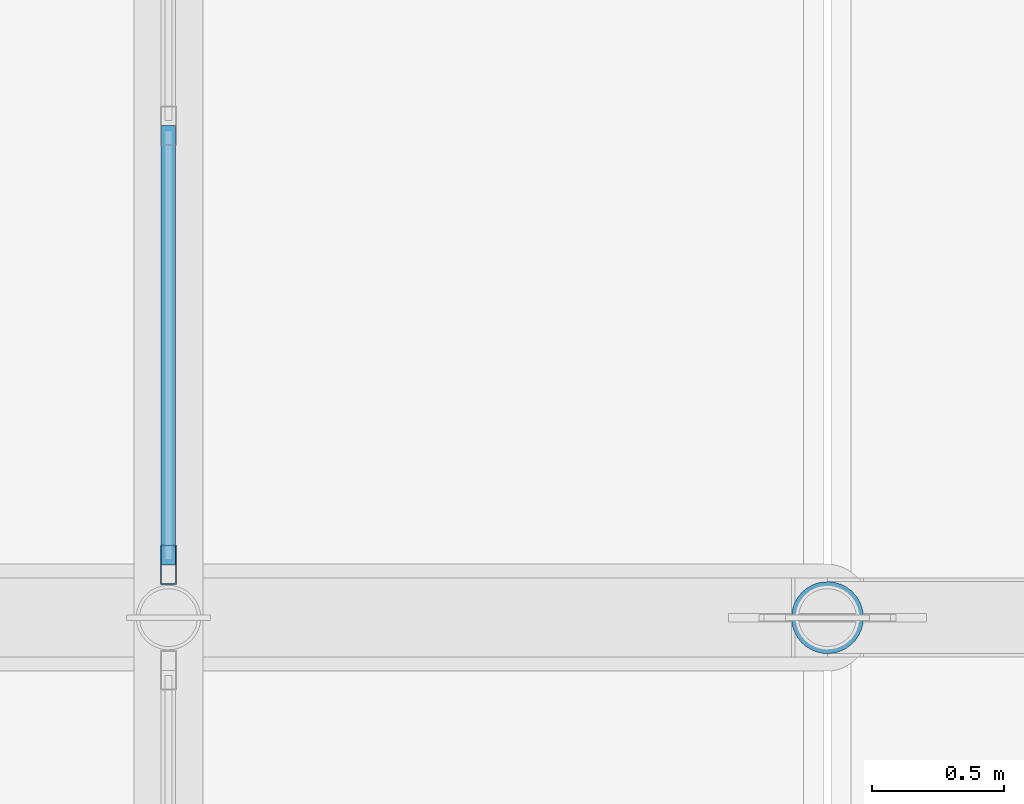
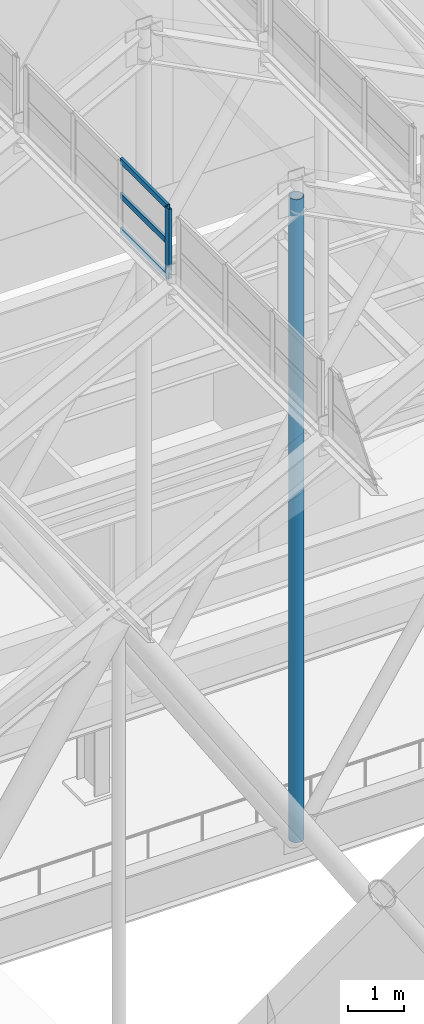
# One storey, part 42 of 84: 5 members, 1 element without a shape of its own.
"""IFC4 building model written with IfcOpenShell, lengths in metres."""

from ifc_helpers import new_model, si_unit, direction, frame, origin, origin_2d, place, context, subcontext, project, spatial, hollow_rectangle, hollow_circle, extrude, material, layer, layer_set, material_profile, profile_set, type_object, element, aggregate, save


model = new_model("IFC4")

# Units and contexts
model_context = context("Model", 3, precision=1e-05, world=origin(), true_north=direction((0.0, 1.0)))
body_context = subcontext(model_context, "Body", "Model", "MODEL_VIEW")
ifc_project = project(units=[si_unit("LENGTHUNIT", "METRE"), si_unit("AREAUNIT", "SQUARE_METRE"), si_unit("VOLUMEUNIT", "CUBIC_METRE"), si_unit("PLANEANGLEUNIT", "RADIAN"), si_unit("MASSUNIT", "GRAM", prefix="KILO")], contexts=[model_context])

# Site, building, storey
site_placement = place(None, origin())
site = spatial("IfcSite", under=ifc_project, at=site_placement, CompositionType="ELEMENT")
building_placement = place(site_placement, origin())
building = spatial("IfcBuilding", under=site, at=building_placement, Name="Sundgate Opera House", CompositionType="ELEMENT")
storey_placement = place(building_placement, frame((0.0, 0.0, 30.60009765625)))
storey = spatial("IfcBuildingStorey", under=building, at=storey_placement, Name="L06", CompositionType="ELEMENT", Elevation=30.60009765625)

# Curtain wall, members
ifc_material_1 = material(Name="Anodized aluminium and low-iron glass", Category="aluminium")
ifc_layer = layer(ifc_material_1, 0.169921875)
ifc_layer_set = layer_set([ifc_layer], Name="Anodized aluminium and low-iron glass")
curtain_wall_type = type_object("IfcCurtainWallType", Name="CW-LANTERN-POLY", PredefinedType="NOTDEFINED", material=ifc_layer_set)
curtain_wall_placement = place(storey_placement, origin())
curtain_wall = element("IfcCurtainWall", 1, at=curtain_wall_placement, inside=storey, type_object=curtain_wall_type, Name="L06 Curtain Wall CW183", PredefinedType="NOTDEFINED")
ifc_material_2 = material(Name="Anodized aluminium EN AW-6063", Category="aluminium")
ifc_material_profile_1 = material_profile(ifc_material_2, hollow_rectangle(XDim=0.06005859375, YDim=0.14990234375, WallThickness=0.00390625, at=origin_2d()), Name="CWM 150x60x4")
ifc_profile_set_1 = profile_set([ifc_material_profile_1], Name="Anodized aluminium EN AW-6063")
member_type_1 = type_object("IfcMemberType", Name="CWM-ALU-150x60", PredefinedType="MULLION", material=ifc_profile_set_1)
member_1_placement = place(storey_placement, frame((51.5, 71.0, 16.199951171875), z_axis=(0.0, 0.0, 1.0), x_axis=(1.0, 0.0, 0.0)))
member_1 = element("IfcMember", 2, at=member_1_placement, type_object=member_type_1, Name="CW183 Mullion 4", PredefinedType="MULLION", context=body_context, shape_type="SweptSolid", body=[
    extrude(hollow_rectangle(XDim=0.06005859375, YDim=0.14990234375, WallThickness=0.00390625, at=origin_2d()), origin(), (0.0, 0.0, 1.0), 1.5),
])
ifc_material_3 = material(Name="Anodized aluminium EN AW-6063", Category="aluminium")
ifc_material_profile_2 = material_profile(ifc_material_3, hollow_rectangle(XDim=0.054931640625, YDim=0.1201171875, WallThickness=0.00390625, at=origin_2d()), Name="CWT 120x55x4")
ifc_profile_set_2 = profile_set([ifc_material_profile_2], Name="Anodized aluminium EN AW-6063")
member_type_2 = type_object("IfcMemberType", Name="CWT-ALU-120x55", PredefinedType="USERDEFINED", material=ifc_profile_set_2)
member_2_placement = place(storey_placement, frame((51.5, 72.666748046875, 16.199951171875), z_axis=(0.0, -1.0, 0.0), x_axis=(1.0, 0.0, 0.0)))
member_2 = element("IfcMember", 3, at=member_2_placement, type_object=member_type_2, Name="CW183 Transom 7", ObjectType="TRANSOM", PredefinedType="USERDEFINED", context=body_context, shape_type="SweptSolid", body=[
    extrude(hollow_rectangle(XDim=0.054931640625, YDim=0.1201171875, WallThickness=0.00390625, at=origin_2d()), origin(), (0.0, 0.0, 1.0), 1.666748046875),
])
member_3_placement = place(storey_placement, frame((51.5, 72.666748046875, 16.949951171875), z_axis=(0.0, -1.0, 0.0), x_axis=(1.0, 0.0, 0.0)))
member_3 = element("IfcMember", 4, at=member_3_placement, type_object=member_type_2, Name="CW183 Transom 8", ObjectType="TRANSOM", PredefinedType="USERDEFINED", context=body_context, shape_type="SweptSolid", body=[
    extrude(hollow_rectangle(XDim=0.054931640625, YDim=0.1201171875, WallThickness=0.00390625, at=origin_2d()), origin(), (0.0, 0.0, 1.0), 1.666748046875),
])
member_4_placement = place(storey_placement, frame((51.5, 72.666748046875, 17.699951171875), z_axis=(0.0, -1.0, 0.0), x_axis=(1.0, 0.0, 0.0)))
member_4 = element("IfcMember", 5, at=member_4_placement, type_object=member_type_2, Name="CW183 Transom 9", ObjectType="TRANSOM", PredefinedType="USERDEFINED", context=body_context, shape_type="SweptSolid", body=[
    extrude(hollow_rectangle(XDim=0.054931640625, YDim=0.1201171875, WallThickness=0.00390625, at=origin_2d()), origin(), (0.0, 0.0, 1.0), 1.666748046875),
])
aggregate(curtain_wall, [member_1, member_2, member_3, member_4])

# Member
ifc_material_4 = material(Name="Steel S355J2", Category="steel")
ifc_material_profile_3 = material_profile(ifc_material_4, hollow_circle(Radius=0.136474609375, WallThickness=0.01611328125, at=origin_2d()), Name="CHS 273.0x16.0")
ifc_profile_set_3 = profile_set([ifc_material_profile_3], Name="Steel S355J2")
member_type_3 = type_object("IfcMemberType", Name="MB-STRUT-CHS273", PredefinedType="STRUT", material=ifc_profile_set_3)
member_5_placement = place(storey_placement, frame((54.0, 70.800048828125, 3.289794921875), z_axis=(0.0, 0.0, 1.0), x_axis=(1.0, 0.0, 0.0)))
element("IfcMember", 6, at=member_5_placement, inside=storey, type_object=member_type_3, Name="L06 Fly-Tower Truss Vertical Post M0172", PredefinedType="STRUT", context=body_context, shape_type="SweptSolid", body=[
    extrude(hollow_circle(Radius=0.136474609375, WallThickness=0.01611328125, at=origin_2d()), origin(), (0.0, 0.0, 1.0), 13.91015625),
])

save(model, "model.ifc")
